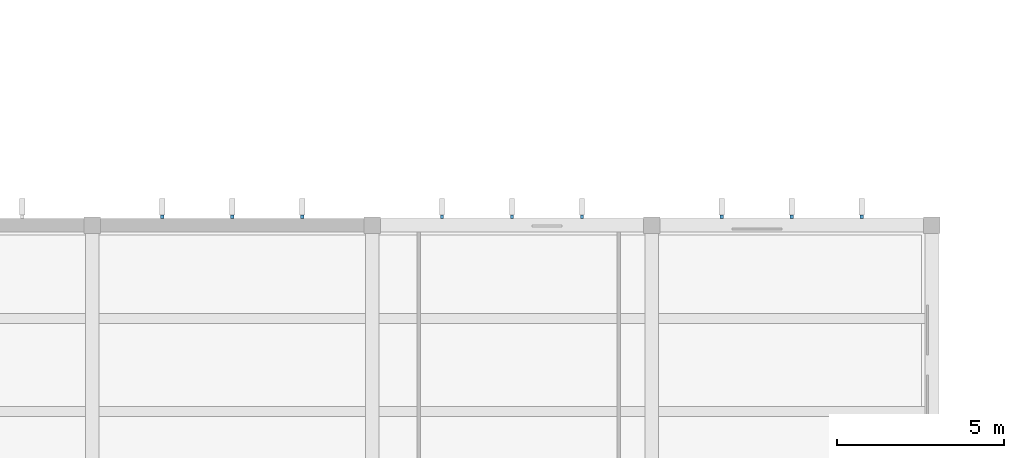
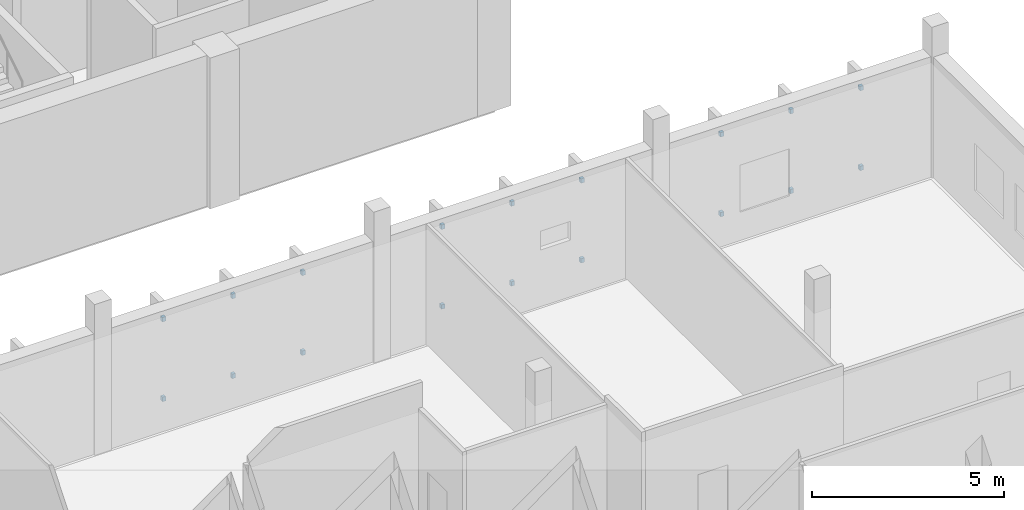
# One storey, part 80 of 119: 18 discrete accessories.
"""IFC4 building model written with IfcOpenShell, lengths in metres."""

from ifc_helpers import new_model, si_unit, direction, frame, origin, origin_2d, place, context, subcontext, project, spatial, rectangle, extrude, material, layer, layer_set, type_object, element, save


model = new_model("IFC4")

# Units and contexts
model_context = context("Model", 3, precision=1e-05, world=origin(), true_north=direction((0.0, 1.0)))
body_context = subcontext(model_context, "Body", "Model", "MODEL_VIEW")
ifc_project = project(units=[si_unit("LENGTHUNIT", "METRE"), si_unit("AREAUNIT", "SQUARE_METRE"), si_unit("VOLUMEUNIT", "CUBIC_METRE"), si_unit("PLANEANGLEUNIT", "RADIAN"), si_unit("MASSUNIT", "GRAM", prefix="KILO")], contexts=[model_context])

# Site, building, storey
site_placement = place(None, origin())
site = spatial("IfcSite", under=ifc_project, at=site_placement, CompositionType="ELEMENT")
building_placement = place(site_placement, origin())
building = spatial("IfcBuilding", under=site, at=building_placement, Name="Larchfold Concert Hall", CompositionType="ELEMENT")
storey_placement = place(building_placement, frame((0.0, 0.0, 4.800048828125)))
storey = spatial("IfcBuildingStorey", under=building, at=storey_placement, Name="L01", CompositionType="ELEMENT", Elevation=4.800048828125)

# Discrete accessories
ifc_material = material(Name="Steel S355 galvanised bracket", Category="steel")
ifc_layer = layer(ifc_material, 0.10009765625)
ifc_layer_set = layer_set([ifc_layer], Name="Steel S355 galvanised bracket")
discrete_accessory_type = type_object("IfcDiscreteAccessoryType", Name="Fin support bracket", PredefinedType="BRACKET", material=ifc_layer_set)
for number, where, z_axis, x_axis, name in (
    (1, (53.10009765625, 26.050048828125, 0.6298828125), (0.0, 0.0, 1.0), (0.0, 1.0, 0.0), "Fin bracket FN-L01-001-1"),
    (2, (53.10009765625, 26.050048828125, 3.169921875), (0.0, 0.0, 1.0), (0.0, 1.0, 0.0), "Fin bracket FN-L01-001-2"),
    (3, (55.199951171875, 26.050048828125, 0.6298828125), (0.0, 0.0, 1.0), (0.0, 1.0, 0.0), "Fin bracket FN-L01-002-1"),
    (4, (55.199951171875, 26.050048828125, 3.169921875), (0.0, 0.0, 1.0), (0.0, 1.0, 0.0), "Fin bracket FN-L01-002-2"),
    (5, (57.300048828125, 26.050048828125, 0.6298828125), (0.0, 0.0, 1.0), (0.0, 1.0, 0.0), "Fin bracket FN-L01-003-1"),
    (6, (57.300048828125, 26.050048828125, 3.169921875), (0.0, 0.0, 1.0), (0.0, 1.0, 0.0), "Fin bracket FN-L01-003-2"),
    (7, (44.699951171875, 26.050048828125, 0.6298828125), (0.0, 0.0, 1.0), (0.0, 1.0, 0.0), "Fin bracket FN-L01-004-1"),
    (8, (44.699951171875, 26.050048828125, 3.169921875), (0.0, 0.0, 1.0), (0.0, 1.0, 0.0), "Fin bracket FN-L01-004-2"),
    (9, (46.800048828125, 26.050048828125, 0.6298828125), (0.0, 0.0, 1.0), (0.0, 1.0, 0.0), "Fin bracket FN-L01-005-1"),
    (10, (46.800048828125, 26.050048828125, 3.169921875), (0.0, 0.0, 1.0), (0.0, 1.0, 0.0), "Fin bracket FN-L01-005-2"),
    (11, (48.89990234375, 26.050048828125, 0.6298828125), (0.0, 0.0, 1.0), (0.0, 1.0, 0.0), "Fin bracket FN-L01-006-1"),
    (12, (48.89990234375, 26.050048828125, 3.169921875), (0.0, 0.0, 1.0), (0.0, 1.0, 0.0), "Fin bracket FN-L01-006-2"),
    (13, (36.300048828125, 26.050048828125, 0.6298828125), (0.0, 0.0, 1.0), (0.0, 1.0, 0.0), "Fin bracket FN-L01-007-1"),
    (14, (36.300048828125, 26.050048828125, 3.169921875), (0.0, 0.0, 1.0), (0.0, 1.0, 0.0), "Fin bracket FN-L01-007-2"),
    (15, (38.39990234375, 26.050048828125, 0.6298828125), (0.0, 0.0, 1.0), (0.0, 1.0, 0.0), "Fin bracket FN-L01-008-1"),
    (16, (38.39990234375, 26.050048828125, 3.169921875), (0.0, 0.0, 1.0), (0.0, 1.0, 0.0), "Fin bracket FN-L01-008-2"),
    (17, (40.5, 26.050048828125, 0.6298828125), (0.0, 0.0, 1.0), (0.0, 1.0, 0.0), "Fin bracket FN-L01-009-1"),
    (18, (40.5, 26.050048828125, 3.169921875), (0.0, 0.0, 1.0), (0.0, 1.0, 0.0), "Fin bracket FN-L01-009-2"),
):
    element("IfcDiscreteAccessory", number, at=place(storey_placement, frame(where, z_axis=z_axis, x_axis=x_axis)), inside=storey, type_object=discrete_accessory_type, Name=name, PredefinedType="BRACKET", context=body_context, shape_type="SweptSolid", body=[
        extrude(rectangle(XDim=0.10009765625, YDim=0.10009765625, at=origin_2d()), origin(), (0.0, 0.0, 1.0), 0.139892578125),
    ])

save(model, "model.ifc")
